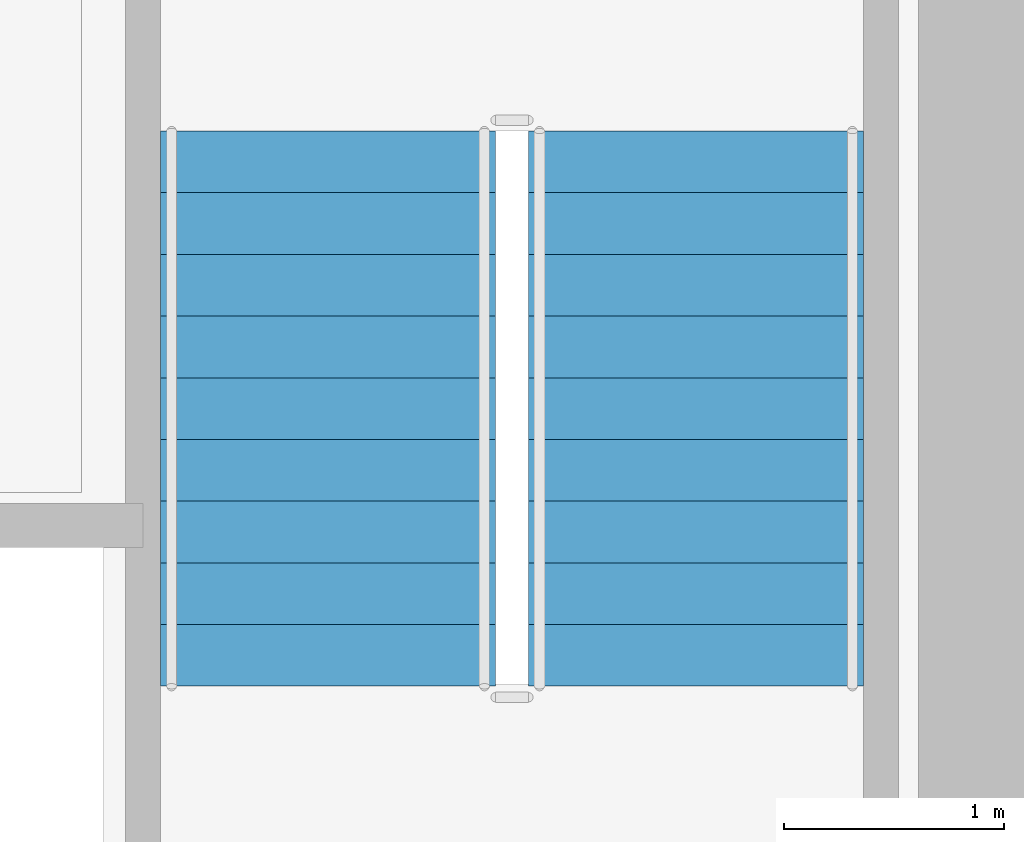
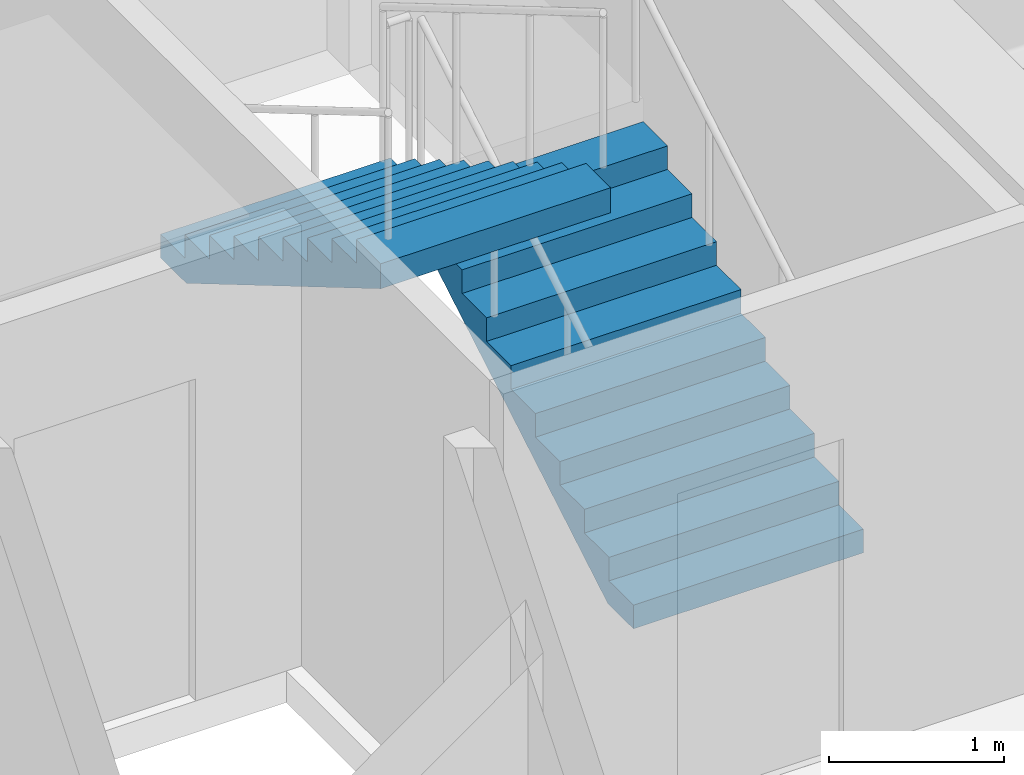
# One storey, part 34 of 36: 2 stair flights, 1 element without a shape of its own.
"""IFC4 building model written with IfcOpenShell, lengths in metres."""

from ifc_helpers import new_model, si_unit, direction, frame, origin, place, context, subcontext, project, spatial, polyline, outline, extrude, material, type_object, element, aggregate, save


model = new_model("IFC4")

# Units and contexts
model_context = context("Model", 3, precision=1e-05, world=origin(), true_north=direction((0.0, 1.0)))
body_context = subcontext(model_context, "Body", "Model", "MODEL_VIEW")
ifc_project = project(units=[si_unit("LENGTHUNIT", "METRE"), si_unit("AREAUNIT", "SQUARE_METRE"), si_unit("VOLUMEUNIT", "CUBIC_METRE"), si_unit("PLANEANGLEUNIT", "RADIAN"), si_unit("MASSUNIT", "GRAM", prefix="KILO")], contexts=[model_context])

# Site, building, storey
site_placement = place(None, origin())
site = spatial("IfcSite", under=ifc_project, at=site_placement, CompositionType="ELEMENT")
building_placement = place(site_placement, origin())
building = spatial("IfcBuilding", under=site, at=building_placement, Name="Kolvaren Belvedere", CompositionType="ELEMENT")
storey_placement = place(building_placement, frame((0.0, 0.0, 88.699951171875)))
storey = spatial("IfcBuildingStorey", under=building, at=storey_placement, Name="L25", CompositionType="ELEMENT", Elevation=88.699951171875)

# Stair, stair flights
ifc_material_1 = material(Name="Concrete C50/60", Category="concrete")
stair_type = type_object("IfcStairType", Name="ST-CORE-1520", PredefinedType="HALF_TURN_STAIR", material=ifc_material_1)
stair_placement = place(storey_placement, origin())
stair = element("IfcStair", 1, at=stair_placement, inside=storey, type_object=stair_type, Name="L25 Protected Exit Stair ST-2", PredefinedType="HALF_TURN_STAIR")
ifc_material_2 = material(Name="Concrete C50/60", Category="concrete")
stair_flight_type = type_object("IfcStairFlightType", Name="SF-STR-1520", PredefinedType="STRAIGHT", material=ifc_material_2)
stair_flight_1_placement = place(storey_placement, frame((8.590087890625, 3.570068359375, 0.0), z_axis=(0.0, 0.0, 1.0), x_axis=(0.0, 1.0, 0.0)))
stair_flight_1 = element("IfcStairFlight", 2, at=stair_flight_1_placement, type_object=stair_flight_type, Name="ST-2 flight 1", NumberOfRisers=10, NumberOfTreads=9, PredefinedType="STRAIGHT", RiserHeight=0.165, TreadLength=0.28, context=body_context, shape_type="SweptSolid", body=[
    extrude(outline(polyline([(0.0, 0.0), (0.0, 0.1650390625), (0.280029296875, 0.1650390625), (0.280029296875, 0.330078125), (0.56005859375, 0.330078125), (0.56005859375, 0.4951171875), (0.840087890625, 0.4951171875), (0.840087890625, 0.659912109375), (1.1201171875, 0.659912109375), (1.1201171875, 0.824951171875), (1.39990234375, 0.824951171875), (1.39990234375, 0.989990234375), (1.679931640625, 0.989990234375), (1.679931640625, 1.155029296875), (1.9599609375, 1.155029296875), (1.9599609375, 1.320068359375), (2.239990234375, 1.320068359375), (2.239990234375, 1.485107421875), (2.52001953125, 1.485107421875), (2.52001953125, 1.64990234375), (2.52001953125, 1.31103515625), (0.295166015625, 0.0), (0.0, 0.0)])), frame((0.0, 0.760009765625, 0.0), z_axis=(0.0, -1.0, 0.0), x_axis=(1.0, 0.0, 0.0)), (0.0, 0.0, 1.0), 1.52001953125),
])
stair_flight_2_placement = place(storey_placement, frame((6.919921875, 6.090087890625, 1.650146484375), z_axis=(0.0, 0.0, 1.0), x_axis=(0.0, -1.0, 0.0)))
stair_flight_2 = element("IfcStairFlight", 3, at=stair_flight_2_placement, type_object=stair_flight_type, Name="ST-2 flight 2", NumberOfRisers=10, NumberOfTreads=9, PredefinedType="STRAIGHT", RiserHeight=0.165, TreadLength=0.28, context=body_context, shape_type="SweptSolid", body=[
    extrude(outline(polyline([(0.0, 0.0), (0.0, 0.1650390625), (0.280029296875, 0.1650390625), (0.280029296875, 0.330078125), (0.56005859375, 0.330078125), (0.56005859375, 0.4951171875), (0.840087890625, 0.4951171875), (0.840087890625, 0.659912109375), (1.1201171875, 0.659912109375), (1.1201171875, 0.824951171875), (1.39990234375, 0.824951171875), (1.39990234375, 0.989990234375), (1.679931640625, 0.989990234375), (1.679931640625, 1.155029296875), (1.9599609375, 1.155029296875), (1.9599609375, 1.320068359375), (2.239990234375, 1.320068359375), (2.239990234375, 1.485107421875), (2.52001953125, 1.485107421875), (2.52001953125, 1.64990234375), (2.52001953125, 1.31103515625), (0.295166015625, 0.0), (0.0, 0.0)])), frame((0.0, 0.760009765625, 0.0), z_axis=(0.0, -1.0, 0.0), x_axis=(1.0, 0.0, 0.0)), (0.0, 0.0, 1.0), 1.52001953125),
])
aggregate(stair, [stair_flight_1, stair_flight_2])

save(model, "model.ifc")
